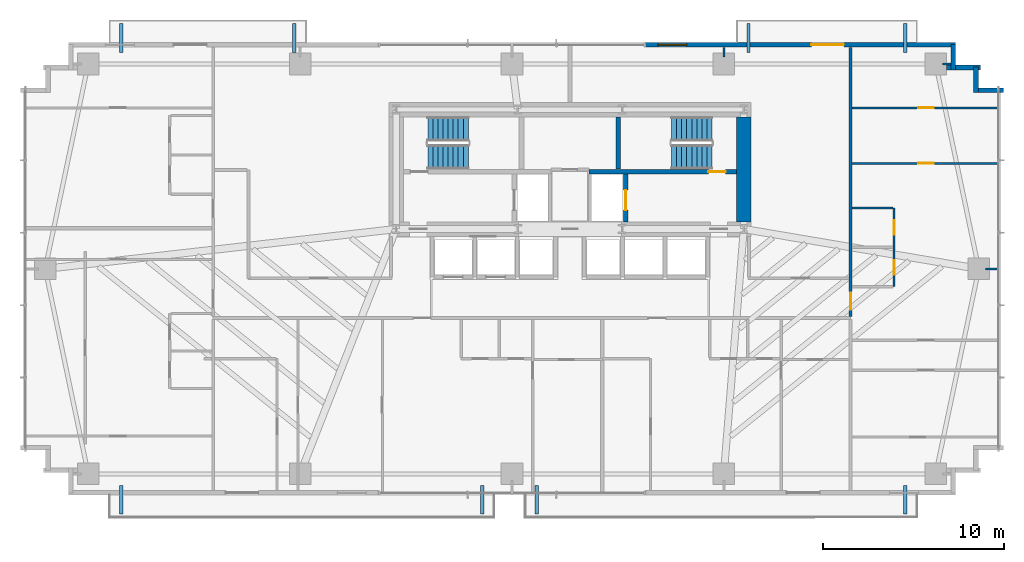
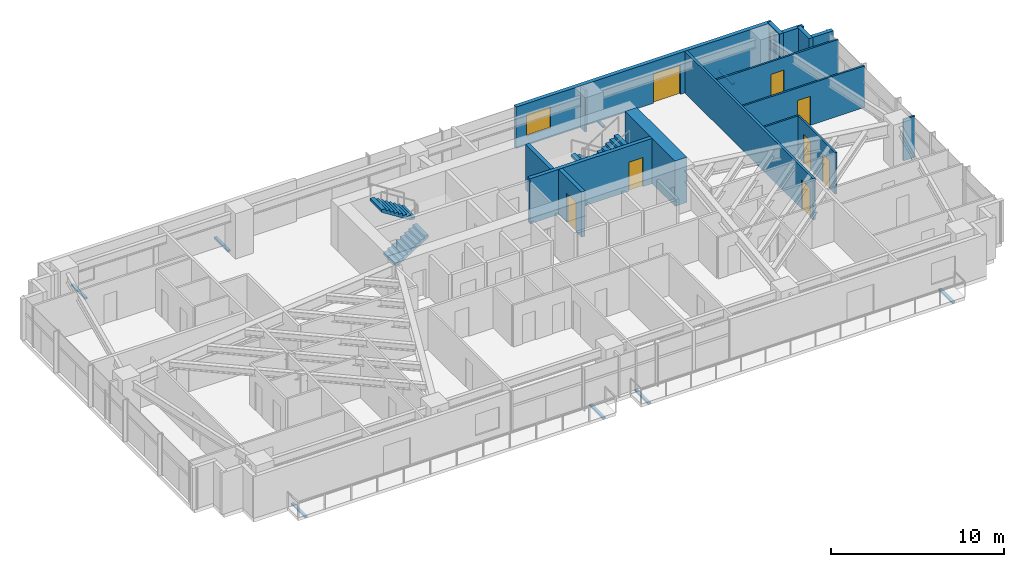
# One storey, part 22 of 25: 17 walls, 8 discrete accessories, 8 doors, 4 stair flights, 1 window, 9 openings, 2 elements without a shape of their own.
"""IFC4 building model written with IfcOpenShell, lengths in metres."""

from ifc_helpers import new_model, si_unit, direction, frame, frame_2d, origin, origin_2d, place, context, subcontext, project, spatial, polyline, rectangle, outline, extrude, source, transform, mapped, material, layer, layer_set, type_object, type_shapes, element, fill, aggregate, save


model = new_model("IFC4")

# Units and contexts
model_context = context("Model", 3, precision=1e-05, world=origin(), true_north=direction((0.0, 1.0)))
body_context = subcontext(model_context, "Body", "Model", "MODEL_VIEW")
ifc_project = project(units=[si_unit("LENGTHUNIT", "METRE"), si_unit("AREAUNIT", "SQUARE_METRE"), si_unit("VOLUMEUNIT", "CUBIC_METRE"), si_unit("PLANEANGLEUNIT", "RADIAN"), si_unit("MASSUNIT", "GRAM", prefix="KILO")], contexts=[model_context])

# Site, building, storey
site_placement = place(None, origin())
site = spatial("IfcSite", under=ifc_project, at=site_placement, CompositionType="ELEMENT")
building_placement = place(site_placement, origin())
building = spatial("IfcBuilding", under=site, at=building_placement, Name="Astriad Promenade Condominiums", CompositionType="ELEMENT")
storey_placement = place(building_placement, frame((0.0, 0.0, 39.0)))
storey = spatial("IfcBuildingStorey", under=building, at=storey_placement, Name="L10", CompositionType="ELEMENT", Elevation=39.0)

# Wall
ifc_material_1 = material(Name="Concrete C80/95", Category="concrete")
ifc_layer_1 = layer(ifc_material_1, 0.800048828125)
ifc_layer_set_1 = layer_set([ifc_layer_1], Name="Concrete C80/95")
wall_type_1 = type_object("IfcWallType", Name="CW-SHEAR-800", PredefinedType="SHEAR", material=ifc_layer_set_1)
wall_1_placement = place(storey_placement, frame((45.60009765625, 17.802001953125, 0.0), z_axis=(0.0, 0.0, 1.0), x_axis=(0.0, 1.0, 0.0)))
element("IfcWall", 1, at=wall_1_placement, inside=storey, type_object=wall_type_1, Name="CW-CORE-E-L10", PredefinedType="SHEAR", context=body_context, shape_type="SweptSolid", body=[
    extrude(rectangle(XDim=5.7958984375, YDim=0.800048828125, at=frame_2d((2.89794921875, 0.0))), origin(), (0.0, 0.0, 1.0), 3.199951171875),
])

# Wall, opening, door
ifc_material_2 = material(Name="Concrete C50/60", Category="concrete")
ifc_layer_2 = layer(ifc_material_2, 0.25)
ifc_layer_set_2 = layer_set([ifc_layer_2], Name="Concrete C50/60")
wall_type_2 = type_object("IfcWallType", Name="WALL-CORE-INT-250", PredefinedType="SOLIDWALL", material=ifc_layer_set_2)
wall_2_placement = place(storey_placement, frame((37.050048828125, 20.574951171875, 0.0), z_axis=(0.0, 0.0, 1.0), x_axis=(1.0, 0.0, 0.0)))
wall_2 = element("IfcWall", 2, at=wall_2_placement, inside=storey, type_object=wall_type_2, Name="CW-INT-H2-L10", PredefinedType="SOLIDWALL", context=body_context, shape_type="SweptSolid", body=[
    extrude(rectangle(XDim=8.14794921875, YDim=0.25, at=frame_2d((4.073974609375, 0.0))), origin(), (0.0, 0.0, 1.0), 3.199951171875),
])
opening_1_placement = place(wall_2_placement, frame((6.60009765625, 0.0, 0.0)))
opening_1 = element("IfcOpeningElement", 3, at=opening_1_placement, cuts=wall_2, Name="Opening FD90-ST-095", PredefinedType="OPENING", context=body_context, shape_type="SweptSolid", body=[
    extrude(rectangle(XDim=0.949951171875, YDim=2.06005859375, at=frame_2d((0.47509765625, 1.030029296875))), frame((0.0, 0.135009765625, 0.0), z_axis=(0.0, -1.0, 0.0), x_axis=(1.0, 0.0, 0.0)), (0.0, 0.0, 1.0), 0.27001953125),
])
ifc_material_3 = material(Name="Fire-Rated Hollow Metal Stair Door")
door_type_1 = type_object("IfcDoorType", Name="FD90-ST-095", OperationType="NOTDEFINED", PredefinedType="DOOR", material=ifc_material_3)
shared_shape_1 = source(origin(), body_context, "Body", "SweptSolid", [
    extrude(rectangle(XDim=0.949951171875, YDim=2.06005859375, at=frame_2d((0.47509765625, 1.030029296875))), frame((0.0, 0.02490234375, 0.0), z_axis=(0.0, -1.0, 0.0), x_axis=(1.0, 0.0, 0.0)), (0.0, 0.0, 1.0), 0.050048828125),
])
type_shapes(door_type_1, [shared_shape_1])
door_1_placement = place(opening_1_placement, origin())
door_1 = element("IfcDoor", 4, at=door_1_placement, inside=storey, type_object=door_type_1, Name="D-ST2-L10", OperationType="SINGLE_SWING_RIGHT", OverallHeight=2.06005859375, OverallWidth=0.949951171875, PredefinedType="DOOR", context=body_context, shape_type="MappedRepresentation", body=[
    mapped(shared_shape_1, transform((0.0, 0.0, 0.0), scale=1.0)),
])
fill(opening_1, door_1)

# Wall
wall_3_placement = place(storey_placement, frame((38.675048828125, 20.701904296875, 0.0), z_axis=(0.0, 0.0, 1.0), x_axis=(0.0, 1.0, 0.0)))
element("IfcWall", 5, at=wall_3_placement, inside=storey, type_object=wall_type_2, Name="CW-ST2-W-L10", PredefinedType="SOLIDWALL", context=body_context, shape_type="SweptSolid", body=[
    extrude(rectangle(XDim=2.89599609375, YDim=0.25, at=frame_2d((1.447998046875, 0.0))), origin(), (0.0, 0.0, 1.0), 3.199951171875),
])

# Wall, opening, door
wall_4_placement = place(storey_placement, frame((39.074951171875, 17.802001953125, 0.0), z_axis=(0.0, 0.0, 1.0), x_axis=(0.0, 1.0, 0.0)))
wall_4 = element("IfcWall", 6, at=wall_4_placement, inside=storey, type_object=wall_type_2, Name="CW-FFL2-E-L10", PredefinedType="SOLIDWALL", context=body_context, shape_type="SweptSolid", body=[
    extrude(rectangle(XDim=2.64599609375, YDim=0.25, at=frame_2d((1.322998046875, 0.0))), origin(), (0.0, 0.0, 1.0), 3.199951171875),
])
opening_2_placement = place(wall_4_placement, frame((0.64794921875, 0.0, 0.0)))
opening_2 = element("IfcOpeningElement", 7, at=opening_2_placement, cuts=wall_4, Name="Opening LD-FFL-1122", PredefinedType="OPENING", context=body_context, shape_type="SweptSolid", body=[
    extrude(rectangle(XDim=1.10009765625, YDim=2.080078125, at=frame_2d((0.550048828125, 1.0400390625))), frame((0.0, 0.135009765625, 0.0), z_axis=(0.0, -1.0, 0.0), x_axis=(1.0, 0.0, 0.0)), (0.0, 0.0, 1.0), 0.27001953125),
])
ifc_material_4 = material(Name="Brushed Stainless Steel Fire Elevator Landing Door", Category="steel")
door_type_2 = type_object("IfcDoorType", Name="LD-FFL-1122", OperationType="NOTDEFINED", PredefinedType="DOOR", material=ifc_material_4)
shared_shape_2 = source(origin(), body_context, "Body", "SweptSolid", [
    extrude(rectangle(XDim=1.10009765625, YDim=2.080078125, at=frame_2d((0.550048828125, 1.0400390625))), frame((0.0, 0.02490234375, 0.0), z_axis=(0.0, -1.0, 0.0), x_axis=(1.0, 0.0, 0.0)), (0.0, 0.0, 1.0), 0.050048828125),
])
type_shapes(door_type_2, [shared_shape_2])
door_2_placement = place(opening_2_placement, origin())
door_2 = element("IfcDoor", 8, at=door_2_placement, inside=storey, type_object=door_type_2, Name="Elevator Landing Door FFL-2 (L10)", OperationType="SLIDING_TO_RIGHT", OverallHeight=2.080078125, OverallWidth=1.10009765625, PredefinedType="DOOR", context=body_context, shape_type="MappedRepresentation", body=[
    mapped(shared_shape_2, transform((0.0, 0.0, 0.0), scale=1.0)),
])
fill(opening_2, door_2)

ifc_material_5 = material(Name="Fire-Rated Gypsum Partition")
ifc_layer_3 = layer(ifc_material_5, 0.159912109375)
ifc_layer_set_3 = layer_set([ifc_layer_3], Name="Fire-Rated Gypsum Partition")
wall_type_3 = type_object("IfcWallType", Name="WALL-CORR-160", PredefinedType="PARTITIONING", material=ifc_layer_set_3)
wall_5_placement = place(storey_placement, frame((51.5, 12.572021484375, 0.0), z_axis=(0.0, 0.0, 1.0), x_axis=(0.0, 1.0, 0.0)))
wall_5 = element("IfcWall", 9, at=wall_5_placement, inside=storey, type_object=wall_type_3, Name="PT-COR-E-L10-S2", PredefinedType="PARTITIONING", context=body_context, shape_type="SweptSolid", body=[
    extrude(rectangle(XDim=14.865966796875, YDim=0.159912109375, at=frame_2d((7.43310546875, 0.0))), origin(), (0.0, 0.0, 1.0), 2.93994140625),
])
opening_3_placement = place(wall_5_placement, frame((0.3701171875, 0.0, 0.0)))
opening_3 = element("IfcOpeningElement", 10, at=opening_3_placement, cuts=wall_5, Name="Opening FD60-APT-095", PredefinedType="OPENING", context=body_context, shape_type="SweptSolid", body=[
    extrude(rectangle(XDim=0.949951171875, YDim=2.06005859375, at=frame_2d((0.47509765625, 1.030029296875))), frame((0.0, 0.08984375, 0.0), z_axis=(0.0, -1.0, 0.0), x_axis=(1.0, 0.0, 0.0)), (0.0, 0.0, 1.0), 0.179931640625),
])
ifc_material_6 = material(Name="Solid-Core Acoustic Timber Residence Entry Door", Category="wood")
door_type_3 = type_object("IfcDoorType", Name="FD60-APT-095", OperationType="NOTDEFINED", PredefinedType="DOOR", material=ifc_material_6)
shared_shape_3 = source(origin(), body_context, "Body", "SweptSolid", [
    extrude(rectangle(XDim=0.949951171875, YDim=2.06005859375, at=frame_2d((0.47509765625, 1.030029296875))), frame((0.0, 0.02490234375, 0.0), z_axis=(0.0, -1.0, 0.0), x_axis=(1.0, 0.0, 0.0)), (0.0, 0.0, 1.0), 0.050048828125),
])
type_shapes(door_type_3, [shared_shape_3])
door_3_placement = place(opening_3_placement, origin())
door_3 = element("IfcDoor", 11, at=door_3_placement, inside=storey, type_object=door_type_3, Name="D-ENT-L10-E1", OperationType="SINGLE_SWING_RIGHT", OverallHeight=2.06005859375, OverallWidth=0.949951171875, PredefinedType="DOOR", context=body_context, shape_type="MappedRepresentation", body=[
    mapped(shared_shape_3, transform((0.0, 0.0, 0.0), scale=1.0)),
])
fill(opening_3, door_3)

# Wall, openings, door, window
ifc_material_7 = material(Name="Precast concrete C50/60", Category="concrete")
ifc_layer_4 = layer(ifc_material_7, 0.260009765625)
ifc_layer_set_4 = layer_set([ifc_layer_4], Name="Precast concrete C50/60")
wall_type_4 = type_object("IfcWallType", Name="WALL-EXT-TWR-260", PredefinedType="STANDARD", material=ifc_layer_set_4)
wall_6_placement = place(storey_placement, frame((40.14990234375, 27.570068359375, 0.0), z_axis=(0.0, 0.0, 1.0), x_axis=(1.0, 0.0, 0.0)))
wall_6 = element("IfcWall", 12, at=wall_6_placement, inside=storey, type_object=wall_type_4, Name="W-EXT-L10-N2", PredefinedType="STANDARD", context=body_context, shape_type="SweptSolid", body=[
    extrude(rectangle(XDim=17.150146484375, YDim=0.260009765625, at=frame_2d((8.5751953125, 0.0))), origin(), (0.0, 0.0, 1.0), 2.93994140625),
])
opening_4_placement = place(wall_6_placement, frame((9.179931640625, 0.0, 0.0)))
opening_4 = element("IfcOpeningElement", 13, at=opening_4_placement, cuts=wall_6, Name="Opening BD-1822-SLD", PredefinedType="OPENING", context=body_context, shape_type="SweptSolid", body=[
    extrude(rectangle(XDim=1.800048828125, YDim=2.06005859375, at=frame_2d((0.89990234375, 1.030029296875))), frame((0.0, 0.139892578125, 0.0), z_axis=(0.0, -1.0, 0.0), x_axis=(1.0, 0.0, 0.0)), (0.0, 0.0, 1.0), 0.280029296875),
])
opening_5_placement = place(wall_6_placement, frame((0.699951171875, 0.0, 0.64990234375)))
opening_5 = element("IfcOpeningElement", 14, at=opening_5_placement, cuts=wall_6, Name="Opening WIN-TWR-1620", PredefinedType="OPENING", context=body_context, shape_type="SweptSolid", body=[
    extrude(rectangle(XDim=1.60009765625, YDim=1.5, at=frame_2d((0.800048828125, 0.75))), frame((0.0, 0.139892578125, 0.0), z_axis=(0.0, -1.0, 0.0), x_axis=(1.0, 0.0, 0.0)), (0.0, 0.0, 1.0), 0.280029296875),
])
ifc_material_8 = material(Name="Thermally Broken Aluminium Sliding Balcony Door", Category="aluminium")
door_type_4 = type_object("IfcDoorType", Name="BD-1822-SLD", OperationType="NOTDEFINED", PredefinedType="DOOR", material=ifc_material_8)
shared_shape_4 = source(origin(), body_context, "Body", "SweptSolid", [
    extrude(rectangle(XDim=1.800048828125, YDim=2.06005859375, at=frame_2d((0.89990234375, 1.030029296875))), frame((0.0, 0.02490234375, 0.0), z_axis=(0.0, -1.0, 0.0), x_axis=(1.0, 0.0, 0.0)), (0.0, 0.0, 1.0), 0.050048828125),
])
type_shapes(door_type_4, [shared_shape_4])
door_4_placement = place(opening_4_placement, origin())
door_4 = element("IfcDoor", 15, at=door_4_placement, inside=storey, type_object=door_type_4, Name="BD-L10-NE", OperationType="SLIDING_TO_RIGHT", OverallHeight=2.06005859375, OverallWidth=1.800048828125, PredefinedType="DOOR", context=body_context, shape_type="MappedRepresentation", body=[
    mapped(shared_shape_4, transform((0.0, 0.0, 0.0), scale=1.0)),
])
fill(opening_4, door_4)
ifc_material_9 = material(Name="Dark Tinted Triple-Glazed Aluminium Window", Category="aluminium")
window_type = type_object("IfcWindowType", Name="WIN-TWR-1620", PartitioningType="SINGLE_PANEL", PredefinedType="WINDOW", material=ifc_material_9)
shared_shape_5 = source(origin(), body_context, "Body", "SweptSolid", [
    extrude(rectangle(XDim=1.60009765625, YDim=1.5, at=frame_2d((0.800048828125, 0.75))), frame((0.0, 0.030029296875, 0.0), z_axis=(0.0, -1.0, 0.0), x_axis=(1.0, 0.0, 0.0)), (0.0, 0.0, 1.0), 0.06005859375),
])
type_shapes(window_type, [shared_shape_5])
window_placement = place(opening_5_placement, origin())
window = element("IfcWindow", 16, at=window_placement, inside=storey, type_object=window_type, Name="WIN-L10-NE", OverallHeight=1.5, OverallWidth=1.60009765625, PartitioningType="SINGLE_PANEL", PredefinedType="WINDOW", context=body_context, shape_type="MappedRepresentation", body=[
    mapped(shared_shape_5, transform((0.0, 0.0, 0.0), scale=1.0)),
])
fill(opening_5, window)

# Walls
wall_7_placement = place(storey_placement, frame((57.169921875, 27.5849609375, 0.0), z_axis=(0.0, 0.0, 1.0), x_axis=(0.0, -1.0, 0.0)))
element("IfcWall", 17, at=wall_7_placement, inside=storey, type_object=wall_type_4, Name="W-SER-L10-09", PredefinedType="STANDARD", context=body_context, shape_type="SweptSolid", body=[
    extrude(rectangle(XDim=1.39501953125, YDim=0.260009765625, at=frame_2d((0.697509765625, 0.0))), origin(), (0.0, 0.0, 1.0), 2.93994140625),
])
wall_8_placement = place(storey_placement, frame((56.802001953125, 26.320068359375, 0.0), z_axis=(0.0, 0.0, 1.0), x_axis=(1.0, 0.0, 0.0)))
element("IfcWall", 18, at=wall_8_placement, inside=storey, type_object=wall_type_4, Name="W-SER-L10-10", PredefinedType="STANDARD", context=body_context, shape_type="SweptSolid", body=[
    extrude(rectangle(XDim=1.8779296875, YDim=0.260009765625, at=frame_2d((0.93896484375, 0.0))), origin(), (0.0, 0.0, 1.0), 2.93994140625),
])
for number, where, z_axis, x_axis, name in (
    (19, (58.419921875, 26.3349609375, 0.0), (0.0, 0.0, 1.0), (0.0, -1.0, 0.0), "W-SER-L10-11"),
    (20, (58.534912109375, 25.070068359375, 0.0), (0.0, 0.0, 1.0), (1.0, 0.0, 0.0), "W-SER-L10-12"),
):
    element("IfcWall", number, at=place(storey_placement, frame(where, z_axis=z_axis, x_axis=x_axis)), inside=storey, type_object=wall_type_4, Name=name, PredefinedType="STANDARD", context=body_context, shape_type="SweptSolid", body=[
        extrude(rectangle(XDim=1.39501953125, YDim=0.260009765625, at=frame_2d((0.697509765625, 0.0))), origin(), (0.0, 0.0, 1.0), 2.93994140625),
    ])

# Wall, openings, doors
ifc_material_10 = material(Name="Acoustic Metal-Stud Gypsum Partition")
ifc_layer_5 = layer(ifc_material_10, 0.1201171875)
ifc_layer_set_5 = layer_set([ifc_layer_5], Name="Acoustic Metal-Stud Gypsum Partition")
wall_type_5 = type_object("IfcWallType", Name="WALL-PART-120", PredefinedType="PARTITIONING", material=ifc_layer_set_5)
wall_9_placement = place(storey_placement, frame((53.89990234375, 14.217041015625, 0.0), z_axis=(0.0, 0.0, 1.0), x_axis=(0.0, 1.0, 0.0)))
wall_9 = element("IfcWall", 21, at=wall_9_placement, inside=storey, type_object=wall_type_5, Name="PT-L10-E1-PV", PredefinedType="PARTITIONING", context=body_context, shape_type="SweptSolid", body=[
    extrude(rectangle(XDim=4.349853515625, YDim=0.1201171875, at=frame_2d((2.1748046875, 0.0))), origin(), (0.0, 0.0, 1.0), 2.93994140625),
])
opening_6_placement = place(wall_9_placement, frame((0.6630859375, 0.0, 0.0)))
opening_6 = element("IfcOpeningElement", 22, at=opening_6_placement, cuts=wall_9, Name="Opening D-ULOW-080", PredefinedType="OPENING", context=body_context, shape_type="SweptSolid", body=[
    extrude(rectangle(XDim=0.800048828125, YDim=2.0, at=frame_2d((0.39990234375, 1.0))), frame((0.0, 0.070068359375, 0.0), z_axis=(0.0, -1.0, 0.0), x_axis=(1.0, 0.0, 0.0)), (0.0, 0.0, 1.0), 0.14013671875),
])
opening_7_placement = place(wall_9_placement, frame((2.863037109375, 0.0, 0.0)))
opening_7 = element("IfcOpeningElement", 23, at=opening_7_placement, cuts=wall_9, Name="Opening D-WET-080", PredefinedType="OPENING", context=body_context, shape_type="SweptSolid", body=[
    extrude(rectangle(XDim=0.800048828125, YDim=2.02001953125, at=frame_2d((0.39990234375, 1.010009765625))), frame((0.0, 0.070068359375, 0.0), z_axis=(0.0, -1.0, 0.0), x_axis=(1.0, 0.0, 0.0)), (0.0, 0.0, 1.0), 0.14013671875),
])
ifc_material_11 = material(Name="Moisture-Resistant Timber Bathroom Door", Category="wood")
door_type_5 = type_object("IfcDoorType", Name="D-WET-080", OperationType="NOTDEFINED", PredefinedType="DOOR", material=ifc_material_11)
shared_shape_6 = source(origin(), body_context, "Body", "SweptSolid", [
    extrude(rectangle(XDim=0.800048828125, YDim=2.02001953125, at=frame_2d((0.39990234375, 1.010009765625))), frame((0.0, 0.02490234375, 0.0), z_axis=(0.0, -1.0, 0.0), x_axis=(1.0, 0.0, 0.0)), (0.0, 0.0, 1.0), 0.050048828125),
])
type_shapes(door_type_5, [shared_shape_6])
door_5_placement = place(opening_7_placement, origin())
door_5 = element("IfcDoor", 24, at=door_5_placement, inside=storey, type_object=door_type_5, Name="D-BTH-L10-E1", OperationType="SINGLE_SWING_RIGHT", OverallHeight=2.02001953125, OverallWidth=0.800048828125, PredefinedType="DOOR", context=body_context, shape_type="MappedRepresentation", body=[
    mapped(shared_shape_6, transform((0.0, 0.0, 0.0), scale=1.0)),
])
fill(opening_7, door_5)
ifc_material_12 = material(Name="Painted Timber Low-Headroom Door", Category="wood")
door_type_6 = type_object("IfcDoorType", Name="D-ULOW-080", OperationType="NOTDEFINED", PredefinedType="DOOR", material=ifc_material_12)
shared_shape_7 = source(origin(), body_context, "Body", "SweptSolid", [
    extrude(rectangle(XDim=0.800048828125, YDim=2.0, at=frame_2d((0.39990234375, 1.0))), frame((0.0, 0.02490234375, 0.0), z_axis=(0.0, -1.0, 0.0), x_axis=(1.0, 0.0, 0.0)), (0.0, 0.0, 1.0), 0.050048828125),
])
type_shapes(door_type_6, [shared_shape_7])
door_6_placement = place(opening_6_placement, origin())
door_6 = element("IfcDoor", 25, at=door_6_placement, inside=storey, type_object=door_type_6, Name="D-KIT-L10-E1", OperationType="SINGLE_SWING_LEFT", OverallHeight=2.0, OverallWidth=0.800048828125, PredefinedType="DOOR", context=body_context, shape_type="MappedRepresentation", body=[
    mapped(shared_shape_7, transform((0.0, 0.0, 0.0), scale=1.0)),
])
fill(opening_6, door_6)

# Wall
wall_10_placement = place(storey_placement, frame((51.58203125, 18.56689453125, 0.0), z_axis=(0.0, 0.0, 1.0), x_axis=(1.0, 0.0, 0.0)))
element("IfcWall", 26, at=wall_10_placement, inside=storey, type_object=wall_type_5, Name="PT-L10-E1-PN", PredefinedType="PARTITIONING", context=body_context, shape_type="SweptSolid", body=[
    extrude(rectangle(XDim=2.255859375, YDim=0.1201171875, at=frame_2d((1.1279296875, 0.0))), origin(), (0.0, 0.0, 1.0), 2.93994140625),
])

# Wall, opening, door
wall_11_placement = place(storey_placement, frame((51.58203125, 24.090087890625, 0.0), z_axis=(0.0, 0.0, 1.0), x_axis=(1.0, 0.0, 0.0)))
wall_11 = element("IfcWall", 27, at=wall_11_placement, inside=storey, type_object=wall_type_5, Name="PT-L10-E1-B1", PredefinedType="PARTITIONING", context=body_context, shape_type="SweptSolid", body=[
    extrude(rectangle(XDim=8.137939453125, YDim=0.1201171875, at=frame_2d((4.06884765625, 0.0))), origin(), (0.0, 0.0, 1.0), 2.93994140625),
])
opening_8_placement = place(wall_11_placement, frame((3.653076171875, 0.0, 0.0)))
opening_8 = element("IfcOpeningElement", 28, at=opening_8_placement, cuts=wall_11, Name="Opening D-INT-085", PredefinedType="OPENING", context=body_context, shape_type="SweptSolid", body=[
    extrude(rectangle(XDim=0.85009765625, YDim=2.050048828125, at=frame_2d((0.425048828125, 1.02490234375))), frame((0.0, 0.070068359375, 0.0), z_axis=(0.0, -1.0, 0.0), x_axis=(1.0, 0.0, 0.0)), (0.0, 0.0, 1.0), 0.14013671875),
])
ifc_material_13 = material(Name="Painted Solid-Core Timber Room Door", Category="wood")
door_type_7 = type_object("IfcDoorType", Name="D-INT-085", OperationType="NOTDEFINED", PredefinedType="DOOR", material=ifc_material_13)
shared_shape_8 = source(origin(), body_context, "Body", "SweptSolid", [
    extrude(rectangle(XDim=0.85009765625, YDim=2.050048828125, at=frame_2d((0.425048828125, 1.02490234375))), frame((0.0, 0.02490234375, 0.0), z_axis=(0.0, -1.0, 0.0), x_axis=(1.0, 0.0, 0.0)), (0.0, 0.0, 1.0), 0.050048828125),
])
type_shapes(door_type_7, [shared_shape_8])
door_7_placement = place(opening_8_placement, origin())
door_7 = element("IfcDoor", 29, at=door_7_placement, inside=storey, type_object=door_type_7, Name="D-BD1-L10-E1", OperationType="SINGLE_SWING_LEFT", OverallHeight=2.050048828125, OverallWidth=0.85009765625, PredefinedType="DOOR", context=body_context, shape_type="MappedRepresentation", body=[
    mapped(shared_shape_8, transform((0.0, 0.0, 0.0), scale=1.0)),
])
fill(opening_8, door_7)

wall_12_placement = place(storey_placement, frame((51.58203125, 21.02490234375, 0.0), z_axis=(0.0, 0.0, 1.0), x_axis=(1.0, 0.0, 0.0)))
wall_12 = element("IfcWall", 30, at=wall_12_placement, inside=storey, type_object=wall_type_5, Name="PT-L10-E1-WDN2", PredefinedType="PARTITIONING", context=body_context, shape_type="SweptSolid", body=[
    extrude(rectangle(XDim=8.137939453125, YDim=0.1201171875, at=frame_2d((4.06884765625, 0.0))), origin(), (0.0, 0.0, 1.0), 2.93994140625),
])
opening_9_placement = place(wall_12_placement, frame((3.653076171875, 0.0, 0.0)))
opening_9 = element("IfcOpeningElement", 31, at=opening_9_placement, cuts=wall_12, Name="Opening D-INT-085", PredefinedType="OPENING", context=body_context, shape_type="SweptSolid", body=[
    extrude(rectangle(XDim=0.85009765625, YDim=2.050048828125, at=frame_2d((0.425048828125, 1.02490234375))), frame((0.0, 0.070068359375, 0.0), z_axis=(0.0, -1.0, 0.0), x_axis=(1.0, 0.0, 0.0)), (0.0, 0.0, 1.0), 0.14013671875),
])
door_8_placement = place(opening_9_placement, origin())
door_8 = element("IfcDoor", 32, at=door_8_placement, inside=storey, type_object=door_type_7, Name="D-WDN2-L10-E1", OperationType="SINGLE_SWING_RIGHT", OverallHeight=2.050048828125, OverallWidth=0.85009765625, PredefinedType="DOOR", context=body_context, shape_type="MappedRepresentation", body=[
    mapped(shared_shape_8, transform((0.0, 0.0, 0.0), scale=1.0)),
])
fill(opening_9, door_8)

# Walls
wall_13_placement = place(storey_placement, frame((44.5, 26.89990234375, 0.0), z_axis=(0.0, 0.0, 1.0), x_axis=(0.0, 1.0, 0.0)))
element("IfcWall", 33, at=wall_13_placement, inside=storey, type_object=wall_type_5, Name="PT-PIL-L10-PC09-16", PredefinedType="PARTITIONING", context=body_context, shape_type="SweptSolid", body=[
    extrude(rectangle(XDim=0.5380859375, YDim=0.1201171875, at=frame_2d((0.26904296875, 0.0))), origin(), (0.0, 0.0, 1.0), 2.93994140625),
])
wall_14_placement = place(storey_placement, frame((56.580078125, 26.52001953125, 0.0), z_axis=(0.0, 0.0, 1.0), x_axis=(1.0, 0.0, 0.0)))
element("IfcWall", 34, at=wall_14_placement, inside=storey, type_object=wall_type_5, Name="PT-PIL-L10-PC10-17", PredefinedType="PARTITIONING", context=body_context, shape_type="SweptSolid", body=[
    extrude(rectangle(XDim=0.4580078125, YDim=0.1201171875, at=frame_2d((0.22900390625, 0.0))), origin(), (0.0, 0.0, 1.0), 2.93994140625),
])
wall_15_placement = place(storey_placement, frame((58.9599609375, 15.199951171875, 0.0), z_axis=(0.0, 0.0, 1.0), x_axis=(1.0, 0.0, 0.0)))
element("IfcWall", 35, at=wall_15_placement, inside=storey, type_object=wall_type_5, Name="PT-PIL-L10-PC12-19", PredefinedType="PARTITIONING", context=body_context, shape_type="SweptSolid", body=[
    extrude(rectangle(XDim=0.760009765625, YDim=0.1201171875, at=frame_2d((0.3798828125, 0.0))), origin(), (0.0, 0.0, 1.0), 2.93994140625),
])

# Stair, stair flights
stair_type = type_object("IfcStairType", Name="STR-CORE-1350", PredefinedType="HALF_TURN_STAIR", material=ifc_material_2)
stair_1_placement = place(storey_placement, origin())
stair_1 = element("IfcStair", 36, at=stair_1_placement, inside=storey, type_object=stair_type, Name="L10 Enclosed Core Exit Stair ST-1", PredefinedType="HALF_TURN_STAIR")
stair_flight_type = type_object("IfcStairFlightType", Name="SFL-CORE-1350", PredefinedType="STRAIGHT", material=ifc_material_2)
shared_shape_9 = source(origin(), body_context, "Body", "SweptSolid", [
    extrude(outline(polyline([(0.0, 0.0), (0.0, 0.177734375), (0.280029296875, 0.177734375), (0.280029296875, 0.35546875), (0.56005859375, 0.35546875), (0.56005859375, 0.533447265625), (0.840087890625, 0.533447265625), (0.840087890625, 0.711181640625), (1.1201171875, 0.711181640625), (1.1201171875, 0.888916015625), (1.39990234375, 0.888916015625), (1.39990234375, 1.066650390625), (1.679931640625, 1.066650390625), (1.679931640625, 1.244384765625), (1.9599609375, 1.244384765625), (1.9599609375, 1.422119140625), (2.239990234375, 1.422119140625), (2.239990234375, 1.60009765625), (2.239990234375, 1.24462890625), (0.27978515625, 0.0), (0.0, 0.0)])), frame((0.0, 0.675048828125, 0.0), z_axis=(0.0, -1.0, 0.0), x_axis=(1.0, 0.0, 0.0)), (0.0, 0.0, 1.0), 1.35009765625),
])
type_shapes(stair_flight_type, [shared_shape_9])
stair_flight_1_placement = place(storey_placement, frame((28.14990234375, 21.375, 0.0), z_axis=(0.0, 0.0, 1.0), x_axis=(1.0, 0.0, 0.0)))
stair_flight_1 = element("IfcStairFlight", 37, at=stair_flight_1_placement, type_object=stair_flight_type, Name="ST-1 flight 1", NumberOfRisers=9, NumberOfTreads=8, PredefinedType="STRAIGHT", RiserHeight=0.177777778, TreadLength=0.28, context=body_context, shape_type="MappedRepresentation", body=[
    mapped(shared_shape_9, transform((0.0, 0.0, 0.0), scale=1.0)),
])
stair_flight_2_placement = place(storey_placement, frame((30.389892578125, 22.925048828125, 1.60009765625), z_axis=(0.0, 0.0, 1.0), x_axis=(-1.0, 0.0, 0.0)))
stair_flight_2 = element("IfcStairFlight", 38, at=stair_flight_2_placement, type_object=stair_flight_type, Name="ST-1 flight 2", NumberOfRisers=9, NumberOfTreads=8, PredefinedType="STRAIGHT", RiserHeight=0.177777778, TreadLength=0.28, context=body_context, shape_type="MappedRepresentation", body=[
    mapped(shared_shape_9, transform((0.0, 0.0, 0.0), scale=1.0)),
])
aggregate(stair_1, [stair_flight_1, stair_flight_2])

stair_2_placement = place(storey_placement, origin())
stair_2 = element("IfcStair", 39, at=stair_2_placement, inside=storey, type_object=stair_type, Name="L10 Enclosed Core Exit Stair ST-2", PredefinedType="HALF_TURN_STAIR")
stair_flight_3_placement = place(storey_placement, frame((43.85009765625, 22.925048828125, 0.0), z_axis=(0.0, 0.0, 1.0), x_axis=(-1.0, 0.0, 0.0)))
stair_flight_3 = element("IfcStairFlight", 40, at=stair_flight_3_placement, type_object=stair_flight_type, Name="ST-2 flight 1", NumberOfRisers=9, NumberOfTreads=8, PredefinedType="STRAIGHT", RiserHeight=0.177777778, TreadLength=0.28, context=body_context, shape_type="MappedRepresentation", body=[
    mapped(shared_shape_9, transform((0.0, 0.0, 0.0), scale=1.0)),
])
stair_flight_4_placement = place(storey_placement, frame((41.610107421875, 21.375, 1.60009765625), z_axis=(0.0, 0.0, 1.0), x_axis=(1.0, 0.0, 0.0)))
stair_flight_4 = element("IfcStairFlight", 41, at=stair_flight_4_placement, type_object=stair_flight_type, Name="ST-2 flight 2", NumberOfRisers=9, NumberOfTreads=8, PredefinedType="STRAIGHT", RiserHeight=0.177777778, TreadLength=0.28, context=body_context, shape_type="MappedRepresentation", body=[
    mapped(shared_shape_9, transform((0.0, 0.0, 0.0), scale=1.0)),
])
aggregate(stair_2, [stair_flight_3, stair_flight_4])

# Discrete accessories
ifc_material_14 = material(Name="Steel ASTM A572 Grade 50", Category="steel")
discrete_accessory_type = type_object("IfcDiscreteAccessoryType", Name="STEEL BALCONY OUTRIGGER BRACKET", PredefinedType="BRACKET", material=ifc_material_14)
shared_shape_10 = source(origin(), body_context, "Body", "SweptSolid", [
    extrude(rectangle(XDim=1.60009765625, YDim=0.179931640625, at=origin_2d()), origin(), (0.0, 0.0, 1.0), 0.1220703125),
])
type_shapes(discrete_accessory_type, [shared_shape_10])
for number, where, z_axis, x_axis, name in (
    (42, (11.222900390625, 2.449951171875, -0.340087890625), (0.0, 0.0, 1.0), (0.0, -1.0, 0.0), "Balcony Outrigger Bracket BAL-L10-SW-A"),
    (43, (31.156005859375, 2.449951171875, -0.340087890625), (0.0, 0.0, 1.0), (0.0, -1.0, 0.0), "Balcony Outrigger Bracket BAL-L10-SW-B"),
    (44, (34.172119140625, 2.449951171875, -0.340087890625), (0.0, 0.0, 1.0), (0.0, -1.0, 0.0), "Balcony Outrigger Bracket BAL-L10-SE-A"),
    (45, (54.513916015625, 2.449951171875, -0.340087890625), (0.0, 0.0, 1.0), (0.0, -1.0, 0.0), "Balcony Outrigger Bracket BAL-L10-SE-B"),
    (46, (11.222900390625, 27.949951171875, -0.340087890625), (0.0, 0.0, 1.0), (0.0, 1.0, 0.0), "Balcony Outrigger Bracket BAL-L10-NW-A"),
    (47, (20.780029296875, 27.949951171875, -0.340087890625), (0.0, 0.0, 1.0), (0.0, 1.0, 0.0), "Balcony Outrigger Bracket BAL-L10-NW-B"),
    (48, (45.860107421875, 27.949951171875, -0.340087890625), (0.0, 0.0, 1.0), (0.0, 1.0, 0.0), "Balcony Outrigger Bracket BAL-L10-NE-A"),
    (49, (54.513916015625, 27.949951171875, -0.340087890625), (0.0, 0.0, 1.0), (0.0, 1.0, 0.0), "Balcony Outrigger Bracket BAL-L10-NE-B"),
):
    element("IfcDiscreteAccessory", number, at=place(storey_placement, frame(where, z_axis=z_axis, x_axis=x_axis)), inside=storey, type_object=discrete_accessory_type, Name=name, PredefinedType="BRACKET", context=body_context, shape_type="MappedRepresentation", body=[
        mapped(shared_shape_10, transform((0.0, 0.0, 0.0), scale=1.0)),
    ])

save(model, "model.ifc")
